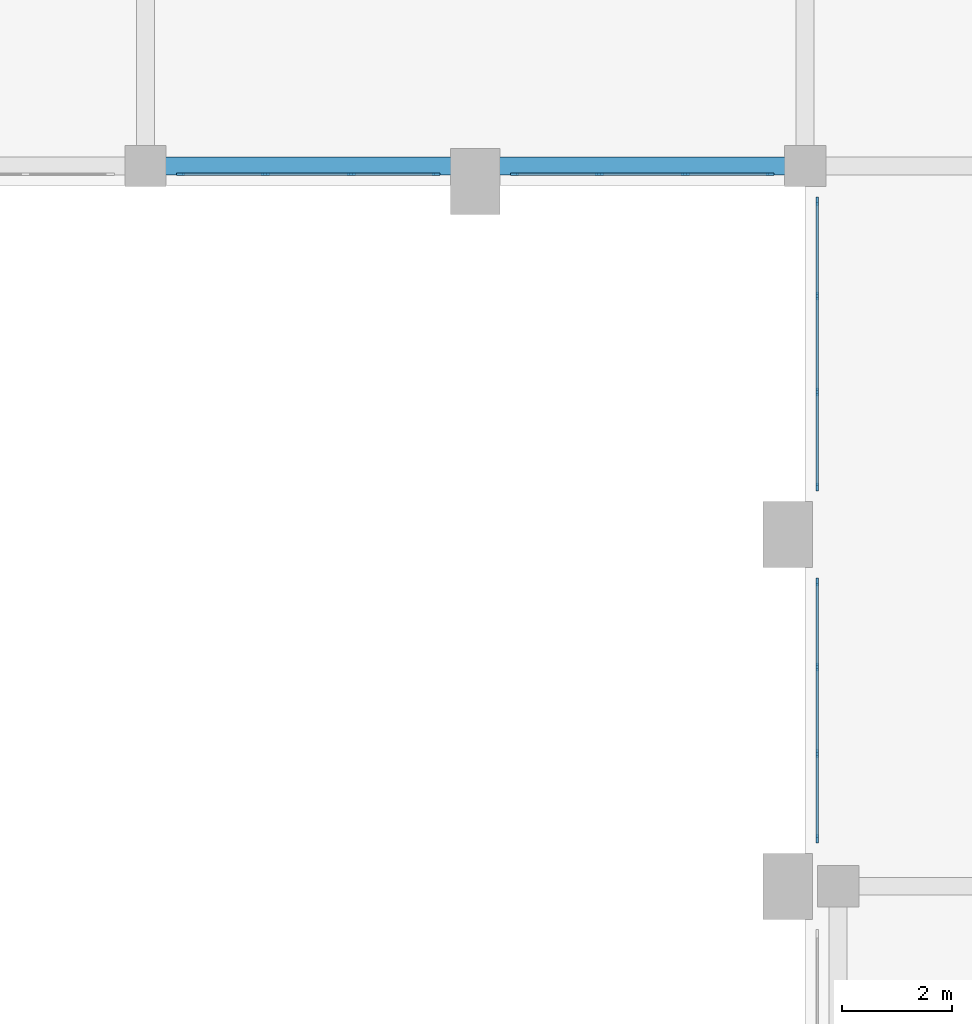
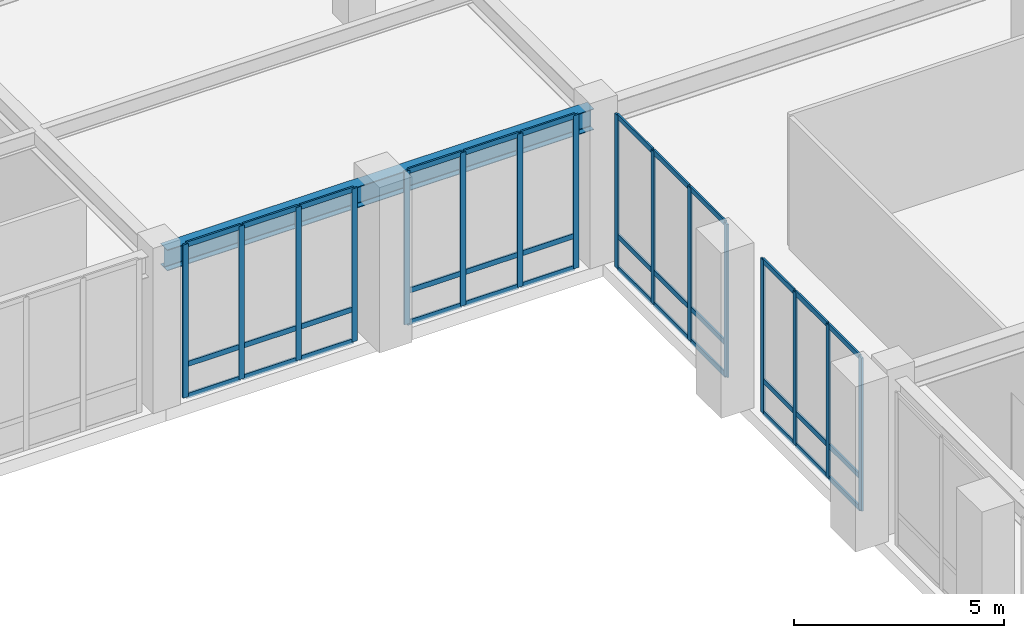
# One storey, part 63 of 126: 52 members, 1 beam, 4 elements without a shape of their own.
"""IFC4 building model written with IfcOpenShell, lengths in metres."""

from ifc_helpers import new_model, si_unit, derived_unit, direction, frame, origin, origin_2d, place, context, subcontext, project, spatial, rectangle, i_section, extrude, material, layer, layer_set, material_profile, profile_set, type_object, element, aggregate, save


model = new_model("IFC4")

# Units and contexts
model_context = context("Model", 3, precision=1e-05, world=origin(), true_north=direction((0.0, 1.0)))
body_context = subcontext(model_context, "Body", "Model", "MODEL_VIEW")
ifc_project = project(units=[si_unit("LENGTHUNIT", "METRE"), si_unit("AREAUNIT", "SQUARE_METRE"), si_unit("VOLUMEUNIT", "CUBIC_METRE"), si_unit("PLANEANGLEUNIT", "RADIAN"), si_unit("MASSUNIT", "GRAM", prefix="KILO"), derived_unit("THERMALTRANSMITTANCEUNIT", [(si_unit("MASSUNIT", "GRAM", prefix="KILO"), 1), (si_unit("TIMEUNIT", "SECOND"), -3), (si_unit("THERMODYNAMICTEMPERATUREUNIT", "KELVIN"), -1)])], contexts=[model_context])

# Site, building, storey
site_placement = place(None, origin())
site = spatial("IfcSite", under=ifc_project, at=site_placement, CompositionType="ELEMENT")
building_placement = place(site_placement, origin())
building = spatial("IfcBuilding", under=site, at=building_placement, Name="Valcora Ridge Arena", CompositionType="ELEMENT")
storey_placement = place(building_placement, frame((0.0, 0.0, 11.39990234375)))
storey = spatial("IfcBuildingStorey", under=building, at=storey_placement, Name="L02", CompositionType="ELEMENT", Elevation=11.39990234375)

# Beam
ifc_material_1 = material(Name="Steel ASTM A572 Grade 50", Category="steel")
ifc_material_profile_1 = material_profile(ifc_material_1, i_section(OverallWidth=0.324951171875, OverallDepth=0.612060546875, WebThickness=0.0126953125, FlangeThickness=0.01904296875, FilletRadius=0.01806640625, at=origin_2d()), Name="W24X104")
ifc_profile_set_1 = profile_set([ifc_material_profile_1], Name="Steel ASTM A572 Grade 50")
beam_type = type_object("IfcBeamType", Name="TY-BEAM-G-W24X104-X", PredefinedType="BEAM", material=ifc_profile_set_1)
beam_placement = place(storey_placement, frame((144.139892578125, 108.699951171875, 4.14404296875), z_axis=(1.0, 0.0, 0.0), x_axis=(0.0, 1.0, 0.0)))
element("IfcBeam", 1, at=beam_placement, inside=storey, type_object=beam_type, Name="G-W24X104-X BEM-G-W24X104-X-0076", PredefinedType="BEAM", context=body_context, shape_type="SweptSolid", body=[
    extrude(i_section(OverallWidth=0.324951171875, OverallDepth=0.612060546875, WebThickness=0.0126953125, FlangeThickness=0.01904296875, FilletRadius=0.01806640625, at=origin_2d()), origin(), (0.0, 0.0, 1.0), 11.72021484375),
])

# Curtain wall, members
ifc_material_2 = material(Name="Anodised dark bronze architectural aluminium 6063-T6", Category="aluminium")
ifc_layer_1 = layer(ifc_material_2, 0.14990234375, Name="Anodised dark bronze architectural aluminium 6063-T6")
ifc_layer_set_1 = layer_set([ifc_layer_1], Name="Anodised dark bronze architectural aluminium 6063-T6")
curtain_wall_type_1 = type_object("IfcCurtainWallType", Name="TY-CURTAINWALL-CW-V5-MED-047X44", PredefinedType="NOTDEFINED", material=ifc_layer_set_1)
curtain_wall_1_placement = place(storey_placement, origin())
curtain_wall_1 = element("IfcCurtainWall", 2, at=curtain_wall_1_placement, inside=storey, type_object=curtain_wall_type_1, Name="CW-V5-MED-047X44 CW-0330", PredefinedType="NOTDEFINED")
ifc_material_profile_2 = material_profile(ifc_material_2, rectangle(XDim=0.050048828125, YDim=0.14990234375, at=origin_2d()), Name="ALU MULLION 50x150")
ifc_profile_set_2 = profile_set([ifc_material_profile_2], Name="Anodised dark bronze architectural aluminium 6063-T6")
member_type_1 = type_object("IfcMemberType", Name="TY-MEM-CWM-50x150", PredefinedType="MULLION", material=ifc_profile_set_2)
member_1_placement = place(storey_placement, frame((144.639892578125, 108.550048828125, 0.0), z_axis=(0.0, 0.0, 1.0), x_axis=(0.0, 1.0, 0.0)))
member_1 = element("IfcMember", 3, at=member_1_placement, type_object=member_type_1, Name="CW-0330/CWM-50x150/M00", PredefinedType="MULLION", context=body_context, shape_type="SweptSolid", body=[
    extrude(rectangle(XDim=0.050048828125, YDim=0.14990234375, at=origin_2d()), origin(), (0.0, 0.0, 1.0), 4.4501953125),
])
member_2_placement = place(storey_placement, frame((146.179931640625, 108.550048828125, 0.0), z_axis=(0.0, 0.0, 1.0), x_axis=(0.0, 1.0, 0.0)))
member_2 = element("IfcMember", 4, at=member_2_placement, type_object=member_type_1, Name="CW-0330/CWM-50x150/M01", PredefinedType="MULLION", context=body_context, shape_type="SweptSolid", body=[
    extrude(rectangle(XDim=0.050048828125, YDim=0.14990234375, at=origin_2d()), origin(), (0.0, 0.0, 1.0), 4.4501953125),
])
member_3_placement = place(storey_placement, frame((147.7451171875, 108.550048828125, 0.0), z_axis=(0.0, 0.0, 1.0), x_axis=(0.0, 1.0, 0.0)))
member_3 = element("IfcMember", 5, at=member_3_placement, type_object=member_type_1, Name="CW-0330/CWM-50x150/M02", PredefinedType="MULLION", context=body_context, shape_type="SweptSolid", body=[
    extrude(rectangle(XDim=0.050048828125, YDim=0.14990234375, at=origin_2d()), origin(), (0.0, 0.0, 1.0), 4.4501953125),
])
member_4_placement = place(storey_placement, frame((149.284912109375, 108.550048828125, 0.0), z_axis=(0.0, 0.0, 1.0), x_axis=(0.0, 1.0, 0.0)))
member_4 = element("IfcMember", 6, at=member_4_placement, type_object=member_type_1, Name="CW-0330/CWM-50x150/M03", PredefinedType="MULLION", context=body_context, shape_type="SweptSolid", body=[
    extrude(rectangle(XDim=0.050048828125, YDim=0.14990234375, at=origin_2d()), origin(), (0.0, 0.0, 1.0), 4.4501953125),
])

curtain_wall_2_placement = place(storey_placement, origin())
curtain_wall_2 = element("IfcCurtainWall", 7, at=curtain_wall_2_placement, inside=storey, type_object=curtain_wall_type_1, Name="CW-V5-MED-047X44 CW-0331", PredefinedType="NOTDEFINED")
member_5_placement = place(storey_placement, frame((150.715087890625, 108.550048828125, 0.0), z_axis=(0.0, 0.0, 1.0), x_axis=(0.0, 1.0, 0.0)))
member_5 = element("IfcMember", 8, at=member_5_placement, type_object=member_type_1, Name="CW-0331/CWM-50x150/M00", PredefinedType="MULLION", context=body_context, shape_type="SweptSolid", body=[
    extrude(rectangle(XDim=0.050048828125, YDim=0.14990234375, at=origin_2d()), origin(), (0.0, 0.0, 1.0), 4.4501953125),
])
member_6_placement = place(storey_placement, frame((152.2548828125, 108.550048828125, 0.0), z_axis=(0.0, 0.0, 1.0), x_axis=(0.0, 1.0, 0.0)))
member_6 = element("IfcMember", 9, at=member_6_placement, type_object=member_type_1, Name="CW-0331/CWM-50x150/M01", PredefinedType="MULLION", context=body_context, shape_type="SweptSolid", body=[
    extrude(rectangle(XDim=0.050048828125, YDim=0.14990234375, at=origin_2d()), origin(), (0.0, 0.0, 1.0), 4.4501953125),
])
member_7_placement = place(storey_placement, frame((153.820068359375, 108.550048828125, 0.0), z_axis=(0.0, 0.0, 1.0), x_axis=(0.0, 1.0, 0.0)))
member_7 = element("IfcMember", 10, at=member_7_placement, type_object=member_type_1, Name="CW-0331/CWM-50x150/M02", PredefinedType="MULLION", context=body_context, shape_type="SweptSolid", body=[
    extrude(rectangle(XDim=0.050048828125, YDim=0.14990234375, at=origin_2d()), origin(), (0.0, 0.0, 1.0), 4.4501953125),
])
member_8_placement = place(storey_placement, frame((155.360107421875, 108.550048828125, 0.0), z_axis=(0.0, 0.0, 1.0), x_axis=(0.0, 1.0, 0.0)))
member_8 = element("IfcMember", 11, at=member_8_placement, type_object=member_type_1, Name="CW-0331/CWM-50x150/M03", PredefinedType="MULLION", context=body_context, shape_type="SweptSolid", body=[
    extrude(rectangle(XDim=0.050048828125, YDim=0.14990234375, at=origin_2d()), origin(), (0.0, 0.0, 1.0), 4.4501953125),
])

curtain_wall_3_placement = place(storey_placement, origin())
curtain_wall_3 = element("IfcCurtainWall", 12, at=curtain_wall_3_placement, inside=storey, type_object=curtain_wall_type_1, Name="CW-V5-MED-047X44 CW-0334", PredefinedType="NOTDEFINED")
member_9_placement = place(storey_placement, frame((156.219970703125, 96.465087890625, 0.0), z_axis=(0.0, 0.0, 1.0), x_axis=(-1.0, 0.0, 0.0)))
member_9 = element("IfcMember", 13, at=member_9_placement, type_object=member_type_1, Name="CW-0334/CWM-50x150/M00", PredefinedType="MULLION", context=body_context, shape_type="SweptSolid", body=[
    extrude(rectangle(XDim=0.050048828125, YDim=0.14990234375, at=origin_2d()), origin(), (0.0, 0.0, 1.0), 4.4501953125),
])
member_10_placement = place(storey_placement, frame((156.219970703125, 98.01318359375, 0.0), z_axis=(0.0, 0.0, 1.0), x_axis=(-1.0, 0.0, 0.0)))
member_10 = element("IfcMember", 14, at=member_10_placement, type_object=member_type_1, Name="CW-0334/CWM-50x150/M01", PredefinedType="MULLION", context=body_context, shape_type="SweptSolid", body=[
    extrude(rectangle(XDim=0.050048828125, YDim=0.14990234375, at=origin_2d()), origin(), (0.0, 0.0, 1.0), 4.4501953125),
])
member_11_placement = place(storey_placement, frame((156.219970703125, 99.586669921875, 0.0), z_axis=(0.0, 0.0, 1.0), x_axis=(-1.0, 0.0, 0.0)))
member_11 = element("IfcMember", 15, at=member_11_placement, type_object=member_type_1, Name="CW-0334/CWM-50x150/M02", PredefinedType="MULLION", context=body_context, shape_type="SweptSolid", body=[
    extrude(rectangle(XDim=0.050048828125, YDim=0.14990234375, at=origin_2d()), origin(), (0.0, 0.0, 1.0), 4.4501953125),
])
member_12_placement = place(storey_placement, frame((156.219970703125, 101.135009765625, 0.0), z_axis=(0.0, 0.0, 1.0), x_axis=(-1.0, 0.0, 0.0)))
member_12 = element("IfcMember", 16, at=member_12_placement, type_object=member_type_1, Name="CW-0334/CWM-50x150/M03", PredefinedType="MULLION", context=body_context, shape_type="SweptSolid", body=[
    extrude(rectangle(XDim=0.050048828125, YDim=0.14990234375, at=origin_2d()), origin(), (0.0, 0.0, 1.0), 4.4501953125),
])

ifc_layer_2 = layer(ifc_material_2, 0.14990234375, Name="Anodised dark bronze architectural aluminium 6063-T6")
ifc_layer_set_2 = layer_set([ifc_layer_2], Name="Anodised dark bronze architectural aluminium 6063-T6")
curtain_wall_type_2 = type_object("IfcCurtainWallType", Name="TY-CURTAINWALL-CW-V5-MED-052X44", PredefinedType="NOTDEFINED", material=ifc_layer_set_2)
curtain_wall_4_placement = place(storey_placement, origin())
curtain_wall_4 = element("IfcCurtainWall", 17, at=curtain_wall_4_placement, inside=storey, type_object=curtain_wall_type_2, Name="CW-V5-MED-052X44 CW-0335", PredefinedType="NOTDEFINED")
member_13_placement = place(storey_placement, frame((156.219970703125, 102.864990234375, 0.0), z_axis=(0.0, 0.0, 1.0), x_axis=(-1.0, 0.0, 0.0)))
member_13 = element("IfcMember", 18, at=member_13_placement, type_object=member_type_1, Name="CW-0335/CWM-50x150/M00", PredefinedType="MULLION", context=body_context, shape_type="SweptSolid", body=[
    extrude(rectangle(XDim=0.050048828125, YDim=0.14990234375, at=origin_2d()), origin(), (0.0, 0.0, 1.0), 4.4501953125),
])
member_14_placement = place(storey_placement, frame((156.219970703125, 104.58837890625, 0.0), z_axis=(0.0, 0.0, 1.0), x_axis=(-1.0, 0.0, 0.0)))
member_14 = element("IfcMember", 19, at=member_14_placement, type_object=member_type_1, Name="CW-0335/CWM-50x150/M01", PredefinedType="MULLION", context=body_context, shape_type="SweptSolid", body=[
    extrude(rectangle(XDim=0.050048828125, YDim=0.14990234375, at=origin_2d()), origin(), (0.0, 0.0, 1.0), 4.4501953125),
])
member_15_placement = place(storey_placement, frame((156.219970703125, 106.336669921875, 0.0), z_axis=(0.0, 0.0, 1.0), x_axis=(-1.0, 0.0, 0.0)))
member_15 = element("IfcMember", 20, at=member_15_placement, type_object=member_type_1, Name="CW-0335/CWM-50x150/M02", PredefinedType="MULLION", context=body_context, shape_type="SweptSolid", body=[
    extrude(rectangle(XDim=0.050048828125, YDim=0.14990234375, at=origin_2d()), origin(), (0.0, 0.0, 1.0), 4.4501953125),
])
member_16_placement = place(storey_placement, frame((156.219970703125, 108.06005859375, 0.0), z_axis=(0.0, 0.0, 1.0), x_axis=(-1.0, 0.0, 0.0)))
member_16 = element("IfcMember", 21, at=member_16_placement, type_object=member_type_1, Name="CW-0335/CWM-50x150/M03", PredefinedType="MULLION", context=body_context, shape_type="SweptSolid", body=[
    extrude(rectangle(XDim=0.050048828125, YDim=0.14990234375, at=origin_2d()), origin(), (0.0, 0.0, 1.0), 4.4501953125),
])

# Member
ifc_material_profile_3 = material_profile(ifc_material_2, rectangle(XDim=0.050048828125, YDim=0.14990234375, at=origin_2d()), Name="ALU TRANSOM 50x150")
ifc_profile_set_3 = profile_set([ifc_material_profile_3], Name="Anodised dark bronze architectural aluminium 6063-T6")
member_type_2 = type_object("IfcMemberType", Name="TY-MEM-CWT-50x150", PredefinedType="USERDEFINED", material=ifc_profile_set_3)
member_17_placement = place(storey_placement, frame((144.6650390625, 108.550048828125, 0.025146484375), z_axis=(1.0, 0.0, 0.0), x_axis=(0.0, 1.0, 0.0)))
member_17 = element("IfcMember", 22, at=member_17_placement, type_object=member_type_2, Name="CW-0330/CWT-50x150/T00-00", ObjectType="TRANSOM", PredefinedType="USERDEFINED", context=body_context, shape_type="SweptSolid", body=[
    extrude(rectangle(XDim=0.050048828125, YDim=0.14990234375, at=origin_2d()), origin(), (0.0, 0.0, 1.0), 1.489990234375),
])

member_18_placement = place(storey_placement, frame((144.6650390625, 108.550048828125, 0.9501953125), z_axis=(1.0, 0.0, 0.0), x_axis=(0.0, 1.0, 0.0)))
member_18 = element("IfcMember", 23, at=member_18_placement, type_object=member_type_2, Name="CW-0330/CWT-50x150/T00-01", ObjectType="TRANSOM", PredefinedType="USERDEFINED", context=body_context, shape_type="SweptSolid", body=[
    extrude(rectangle(XDim=0.050048828125, YDim=0.14990234375, at=origin_2d()), origin(), (0.0, 0.0, 1.0), 1.489990234375),
])

member_19_placement = place(storey_placement, frame((144.6650390625, 108.550048828125, 4.425048828125), z_axis=(1.0, 0.0, 0.0), x_axis=(0.0, 1.0, 0.0)))
member_19 = element("IfcMember", 24, at=member_19_placement, type_object=member_type_2, Name="CW-0330/CWT-50x150/T00-02", ObjectType="TRANSOM", PredefinedType="USERDEFINED", context=body_context, shape_type="SweptSolid", body=[
    extrude(rectangle(XDim=0.050048828125, YDim=0.14990234375, at=origin_2d()), origin(), (0.0, 0.0, 1.0), 1.489990234375),
])

member_20_placement = place(storey_placement, frame((146.205078125, 108.550048828125, 0.025146484375), z_axis=(1.0, 0.0, 0.0), x_axis=(0.0, 1.0, 0.0)))
member_20 = element("IfcMember", 25, at=member_20_placement, type_object=member_type_2, Name="CW-0330/CWT-50x150/T01-00", ObjectType="TRANSOM", PredefinedType="USERDEFINED", context=body_context, shape_type="SweptSolid", body=[
    extrude(rectangle(XDim=0.050048828125, YDim=0.14990234375, at=origin_2d()), origin(), (0.0, 0.0, 1.0), 1.514892578125),
])

member_21_placement = place(storey_placement, frame((146.205078125, 108.550048828125, 0.9501953125), z_axis=(1.0, 0.0, 0.0), x_axis=(0.0, 1.0, 0.0)))
member_21 = element("IfcMember", 26, at=member_21_placement, type_object=member_type_2, Name="CW-0330/CWT-50x150/T01-01", ObjectType="TRANSOM", PredefinedType="USERDEFINED", context=body_context, shape_type="SweptSolid", body=[
    extrude(rectangle(XDim=0.050048828125, YDim=0.14990234375, at=origin_2d()), origin(), (0.0, 0.0, 1.0), 1.514892578125),
])

member_22_placement = place(storey_placement, frame((146.205078125, 108.550048828125, 4.425048828125), z_axis=(1.0, 0.0, 0.0), x_axis=(0.0, 1.0, 0.0)))
member_22 = element("IfcMember", 27, at=member_22_placement, type_object=member_type_2, Name="CW-0330/CWT-50x150/T01-02", ObjectType="TRANSOM", PredefinedType="USERDEFINED", context=body_context, shape_type="SweptSolid", body=[
    extrude(rectangle(XDim=0.050048828125, YDim=0.14990234375, at=origin_2d()), origin(), (0.0, 0.0, 1.0), 1.514892578125),
])

member_23_placement = place(storey_placement, frame((147.77001953125, 108.550048828125, 0.025146484375), z_axis=(1.0, 0.0, 0.0), x_axis=(0.0, 1.0, 0.0)))
member_23 = element("IfcMember", 28, at=member_23_placement, type_object=member_type_2, Name="CW-0330/CWT-50x150/T02-00", ObjectType="TRANSOM", PredefinedType="USERDEFINED", context=body_context, shape_type="SweptSolid", body=[
    extrude(rectangle(XDim=0.050048828125, YDim=0.14990234375, at=origin_2d()), origin(), (0.0, 0.0, 1.0), 1.489990234375),
])

member_24_placement = place(storey_placement, frame((147.77001953125, 108.550048828125, 0.9501953125), z_axis=(1.0, 0.0, 0.0), x_axis=(0.0, 1.0, 0.0)))
member_24 = element("IfcMember", 29, at=member_24_placement, type_object=member_type_2, Name="CW-0330/CWT-50x150/T02-01", ObjectType="TRANSOM", PredefinedType="USERDEFINED", context=body_context, shape_type="SweptSolid", body=[
    extrude(rectangle(XDim=0.050048828125, YDim=0.14990234375, at=origin_2d()), origin(), (0.0, 0.0, 1.0), 1.489990234375),
])

member_25_placement = place(storey_placement, frame((147.77001953125, 108.550048828125, 4.425048828125), z_axis=(1.0, 0.0, 0.0), x_axis=(0.0, 1.0, 0.0)))
member_25 = element("IfcMember", 30, at=member_25_placement, type_object=member_type_2, Name="CW-0330/CWT-50x150/T02-02", ObjectType="TRANSOM", PredefinedType="USERDEFINED", context=body_context, shape_type="SweptSolid", body=[
    extrude(rectangle(XDim=0.050048828125, YDim=0.14990234375, at=origin_2d()), origin(), (0.0, 0.0, 1.0), 1.489990234375),
])

aggregate(curtain_wall_1, [member_1, member_2, member_3, member_4, member_17, member_18, member_19, member_20, member_21, member_22, member_23, member_24, member_25])

member_26_placement = place(storey_placement, frame((150.739990234375, 108.550048828125, 0.025146484375), z_axis=(1.0, 0.0, 0.0), x_axis=(0.0, 1.0, 0.0)))
member_26 = element("IfcMember", 31, at=member_26_placement, type_object=member_type_2, Name="CW-0331/CWT-50x150/T00-00", ObjectType="TRANSOM", PredefinedType="USERDEFINED", context=body_context, shape_type="SweptSolid", body=[
    extrude(rectangle(XDim=0.050048828125, YDim=0.14990234375, at=origin_2d()), origin(), (0.0, 0.0, 1.0), 1.489990234375),
])

member_27_placement = place(storey_placement, frame((150.739990234375, 108.550048828125, 0.9501953125), z_axis=(1.0, 0.0, 0.0), x_axis=(0.0, 1.0, 0.0)))
member_27 = element("IfcMember", 32, at=member_27_placement, type_object=member_type_2, Name="CW-0331/CWT-50x150/T00-01", ObjectType="TRANSOM", PredefinedType="USERDEFINED", context=body_context, shape_type="SweptSolid", body=[
    extrude(rectangle(XDim=0.050048828125, YDim=0.14990234375, at=origin_2d()), origin(), (0.0, 0.0, 1.0), 1.489990234375),
])

member_28_placement = place(storey_placement, frame((150.739990234375, 108.550048828125, 4.425048828125), z_axis=(1.0, 0.0, 0.0), x_axis=(0.0, 1.0, 0.0)))
member_28 = element("IfcMember", 33, at=member_28_placement, type_object=member_type_2, Name="CW-0331/CWT-50x150/T00-02", ObjectType="TRANSOM", PredefinedType="USERDEFINED", context=body_context, shape_type="SweptSolid", body=[
    extrude(rectangle(XDim=0.050048828125, YDim=0.14990234375, at=origin_2d()), origin(), (0.0, 0.0, 1.0), 1.489990234375),
])

member_29_placement = place(storey_placement, frame((152.280029296875, 108.550048828125, 0.025146484375), z_axis=(1.0, 0.0, 0.0), x_axis=(0.0, 1.0, 0.0)))
member_29 = element("IfcMember", 34, at=member_29_placement, type_object=member_type_2, Name="CW-0331/CWT-50x150/T01-00", ObjectType="TRANSOM", PredefinedType="USERDEFINED", context=body_context, shape_type="SweptSolid", body=[
    extrude(rectangle(XDim=0.050048828125, YDim=0.14990234375, at=origin_2d()), origin(), (0.0, 0.0, 1.0), 1.514892578125),
])

member_30_placement = place(storey_placement, frame((152.280029296875, 108.550048828125, 0.9501953125), z_axis=(1.0, 0.0, 0.0), x_axis=(0.0, 1.0, 0.0)))
member_30 = element("IfcMember", 35, at=member_30_placement, type_object=member_type_2, Name="CW-0331/CWT-50x150/T01-01", ObjectType="TRANSOM", PredefinedType="USERDEFINED", context=body_context, shape_type="SweptSolid", body=[
    extrude(rectangle(XDim=0.050048828125, YDim=0.14990234375, at=origin_2d()), origin(), (0.0, 0.0, 1.0), 1.514892578125),
])

member_31_placement = place(storey_placement, frame((152.280029296875, 108.550048828125, 4.425048828125), z_axis=(1.0, 0.0, 0.0), x_axis=(0.0, 1.0, 0.0)))
member_31 = element("IfcMember", 36, at=member_31_placement, type_object=member_type_2, Name="CW-0331/CWT-50x150/T01-02", ObjectType="TRANSOM", PredefinedType="USERDEFINED", context=body_context, shape_type="SweptSolid", body=[
    extrude(rectangle(XDim=0.050048828125, YDim=0.14990234375, at=origin_2d()), origin(), (0.0, 0.0, 1.0), 1.514892578125),
])

member_32_placement = place(storey_placement, frame((153.844970703125, 108.550048828125, 0.025146484375), z_axis=(1.0, 0.0, 0.0), x_axis=(0.0, 1.0, 0.0)))
member_32 = element("IfcMember", 37, at=member_32_placement, type_object=member_type_2, Name="CW-0331/CWT-50x150/T02-00", ObjectType="TRANSOM", PredefinedType="USERDEFINED", context=body_context, shape_type="SweptSolid", body=[
    extrude(rectangle(XDim=0.050048828125, YDim=0.14990234375, at=origin_2d()), origin(), (0.0, 0.0, 1.0), 1.489990234375),
])

member_33_placement = place(storey_placement, frame((153.844970703125, 108.550048828125, 0.9501953125), z_axis=(1.0, 0.0, 0.0), x_axis=(0.0, 1.0, 0.0)))
member_33 = element("IfcMember", 38, at=member_33_placement, type_object=member_type_2, Name="CW-0331/CWT-50x150/T02-01", ObjectType="TRANSOM", PredefinedType="USERDEFINED", context=body_context, shape_type="SweptSolid", body=[
    extrude(rectangle(XDim=0.050048828125, YDim=0.14990234375, at=origin_2d()), origin(), (0.0, 0.0, 1.0), 1.489990234375),
])

member_34_placement = place(storey_placement, frame((153.844970703125, 108.550048828125, 4.425048828125), z_axis=(1.0, 0.0, 0.0), x_axis=(0.0, 1.0, 0.0)))
member_34 = element("IfcMember", 39, at=member_34_placement, type_object=member_type_2, Name="CW-0331/CWT-50x150/T02-02", ObjectType="TRANSOM", PredefinedType="USERDEFINED", context=body_context, shape_type="SweptSolid", body=[
    extrude(rectangle(XDim=0.050048828125, YDim=0.14990234375, at=origin_2d()), origin(), (0.0, 0.0, 1.0), 1.489990234375),
])

aggregate(curtain_wall_2, [member_5, member_6, member_7, member_8, member_26, member_27, member_28, member_29, member_30, member_31, member_32, member_33, member_34])

member_35_placement = place(storey_placement, frame((156.219970703125, 96.489990234375, 0.025146484375), z_axis=(0.0, 1.0, 0.0), x_axis=(-1.0, 0.0, 0.0)))
member_35 = element("IfcMember", 40, at=member_35_placement, type_object=member_type_2, Name="CW-0334/CWT-50x150/T00-00", ObjectType="TRANSOM", PredefinedType="USERDEFINED", context=body_context, shape_type="SweptSolid", body=[
    extrude(rectangle(XDim=0.050048828125, YDim=0.14990234375, at=origin_2d()), origin(), (0.0, 0.0, 1.0), 1.498046875),
])

member_36_placement = place(storey_placement, frame((156.219970703125, 96.489990234375, 0.9501953125), z_axis=(0.0, 1.0, 0.0), x_axis=(-1.0, 0.0, 0.0)))
member_36 = element("IfcMember", 41, at=member_36_placement, type_object=member_type_2, Name="CW-0334/CWT-50x150/T00-01", ObjectType="TRANSOM", PredefinedType="USERDEFINED", context=body_context, shape_type="SweptSolid", body=[
    extrude(rectangle(XDim=0.050048828125, YDim=0.14990234375, at=origin_2d()), origin(), (0.0, 0.0, 1.0), 1.498046875),
])

member_37_placement = place(storey_placement, frame((156.219970703125, 96.489990234375, 4.425048828125), z_axis=(0.0, 1.0, 0.0), x_axis=(-1.0, 0.0, 0.0)))
member_37 = element("IfcMember", 42, at=member_37_placement, type_object=member_type_2, Name="CW-0334/CWT-50x150/T00-02", ObjectType="TRANSOM", PredefinedType="USERDEFINED", context=body_context, shape_type="SweptSolid", body=[
    extrude(rectangle(XDim=0.050048828125, YDim=0.14990234375, at=origin_2d()), origin(), (0.0, 0.0, 1.0), 1.498046875),
])

member_38_placement = place(storey_placement, frame((156.219970703125, 98.0380859375, 0.025146484375), z_axis=(0.0, 1.0, 0.0), x_axis=(-1.0, 0.0, 0.0)))
member_38 = element("IfcMember", 43, at=member_38_placement, type_object=member_type_2, Name="CW-0334/CWT-50x150/T01-00", ObjectType="TRANSOM", PredefinedType="USERDEFINED", context=body_context, shape_type="SweptSolid", body=[
    extrude(rectangle(XDim=0.050048828125, YDim=0.14990234375, at=origin_2d()), origin(), (0.0, 0.0, 1.0), 1.52392578125),
])

member_39_placement = place(storey_placement, frame((156.219970703125, 98.0380859375, 0.9501953125), z_axis=(0.0, 1.0, 0.0), x_axis=(-1.0, 0.0, 0.0)))
member_39 = element("IfcMember", 44, at=member_39_placement, type_object=member_type_2, Name="CW-0334/CWT-50x150/T01-01", ObjectType="TRANSOM", PredefinedType="USERDEFINED", context=body_context, shape_type="SweptSolid", body=[
    extrude(rectangle(XDim=0.050048828125, YDim=0.14990234375, at=origin_2d()), origin(), (0.0, 0.0, 1.0), 1.52392578125),
])

member_40_placement = place(storey_placement, frame((156.219970703125, 98.0380859375, 4.425048828125), z_axis=(0.0, 1.0, 0.0), x_axis=(-1.0, 0.0, 0.0)))
member_40 = element("IfcMember", 45, at=member_40_placement, type_object=member_type_2, Name="CW-0334/CWT-50x150/T01-02", ObjectType="TRANSOM", PredefinedType="USERDEFINED", context=body_context, shape_type="SweptSolid", body=[
    extrude(rectangle(XDim=0.050048828125, YDim=0.14990234375, at=origin_2d()), origin(), (0.0, 0.0, 1.0), 1.52392578125),
])

member_41_placement = place(storey_placement, frame((156.219970703125, 99.612060546875, 0.025146484375), z_axis=(0.0, 1.0, 0.0), x_axis=(-1.0, 0.0, 0.0)))
member_41 = element("IfcMember", 46, at=member_41_placement, type_object=member_type_2, Name="CW-0334/CWT-50x150/T02-00", ObjectType="TRANSOM", PredefinedType="USERDEFINED", context=body_context, shape_type="SweptSolid", body=[
    extrude(rectangle(XDim=0.050048828125, YDim=0.14990234375, at=origin_2d()), origin(), (0.0, 0.0, 1.0), 1.498046875),
])

member_42_placement = place(storey_placement, frame((156.219970703125, 99.612060546875, 0.9501953125), z_axis=(0.0, 1.0, 0.0), x_axis=(-1.0, 0.0, 0.0)))
member_42 = element("IfcMember", 47, at=member_42_placement, type_object=member_type_2, Name="CW-0334/CWT-50x150/T02-01", ObjectType="TRANSOM", PredefinedType="USERDEFINED", context=body_context, shape_type="SweptSolid", body=[
    extrude(rectangle(XDim=0.050048828125, YDim=0.14990234375, at=origin_2d()), origin(), (0.0, 0.0, 1.0), 1.498046875),
])

member_43_placement = place(storey_placement, frame((156.219970703125, 99.612060546875, 4.425048828125), z_axis=(0.0, 1.0, 0.0), x_axis=(-1.0, 0.0, 0.0)))
member_43 = element("IfcMember", 48, at=member_43_placement, type_object=member_type_2, Name="CW-0334/CWT-50x150/T02-02", ObjectType="TRANSOM", PredefinedType="USERDEFINED", context=body_context, shape_type="SweptSolid", body=[
    extrude(rectangle(XDim=0.050048828125, YDim=0.14990234375, at=origin_2d()), origin(), (0.0, 0.0, 1.0), 1.498046875),
])

aggregate(curtain_wall_3, [member_9, member_10, member_11, member_12, member_35, member_36, member_37, member_38, member_39, member_40, member_41, member_42, member_43])

member_44_placement = place(storey_placement, frame((156.219970703125, 102.889892578125, 0.025146484375), z_axis=(0.0, 1.0, 0.0), x_axis=(-1.0, 0.0, 0.0)))
member_44 = element("IfcMember", 49, at=member_44_placement, type_object=member_type_2, Name="CW-0335/CWT-50x150/T00-00", ObjectType="TRANSOM", PredefinedType="USERDEFINED", context=body_context, shape_type="SweptSolid", body=[
    extrude(rectangle(XDim=0.050048828125, YDim=0.14990234375, at=origin_2d()), origin(), (0.0, 0.0, 1.0), 1.673095703125),
])

member_45_placement = place(storey_placement, frame((156.219970703125, 102.889892578125, 0.9501953125), z_axis=(0.0, 1.0, 0.0), x_axis=(-1.0, 0.0, 0.0)))
member_45 = element("IfcMember", 50, at=member_45_placement, type_object=member_type_2, Name="CW-0335/CWT-50x150/T00-01", ObjectType="TRANSOM", PredefinedType="USERDEFINED", context=body_context, shape_type="SweptSolid", body=[
    extrude(rectangle(XDim=0.050048828125, YDim=0.14990234375, at=origin_2d()), origin(), (0.0, 0.0, 1.0), 1.673095703125),
])

member_46_placement = place(storey_placement, frame((156.219970703125, 102.889892578125, 4.425048828125), z_axis=(0.0, 1.0, 0.0), x_axis=(-1.0, 0.0, 0.0)))
member_46 = element("IfcMember", 51, at=member_46_placement, type_object=member_type_2, Name="CW-0335/CWT-50x150/T00-02", ObjectType="TRANSOM", PredefinedType="USERDEFINED", context=body_context, shape_type="SweptSolid", body=[
    extrude(rectangle(XDim=0.050048828125, YDim=0.14990234375, at=origin_2d()), origin(), (0.0, 0.0, 1.0), 1.673095703125),
])

member_47_placement = place(storey_placement, frame((156.219970703125, 104.613037109375, 0.025146484375), z_axis=(0.0, 1.0, 0.0), x_axis=(-1.0, 0.0, 0.0)))
member_47 = element("IfcMember", 52, at=member_47_placement, type_object=member_type_2, Name="CW-0335/CWT-50x150/T01-00", ObjectType="TRANSOM", PredefinedType="USERDEFINED", context=body_context, shape_type="SweptSolid", body=[
    extrude(rectangle(XDim=0.050048828125, YDim=0.14990234375, at=origin_2d()), origin(), (0.0, 0.0, 1.0), 1.698974609375),
])

member_48_placement = place(storey_placement, frame((156.219970703125, 104.613037109375, 0.9501953125), z_axis=(0.0, 1.0, 0.0), x_axis=(-1.0, 0.0, 0.0)))
member_48 = element("IfcMember", 53, at=member_48_placement, type_object=member_type_2, Name="CW-0335/CWT-50x150/T01-01", ObjectType="TRANSOM", PredefinedType="USERDEFINED", context=body_context, shape_type="SweptSolid", body=[
    extrude(rectangle(XDim=0.050048828125, YDim=0.14990234375, at=origin_2d()), origin(), (0.0, 0.0, 1.0), 1.698974609375),
])

member_49_placement = place(storey_placement, frame((156.219970703125, 104.613037109375, 4.425048828125), z_axis=(0.0, 1.0, 0.0), x_axis=(-1.0, 0.0, 0.0)))
member_49 = element("IfcMember", 54, at=member_49_placement, type_object=member_type_2, Name="CW-0335/CWT-50x150/T01-02", ObjectType="TRANSOM", PredefinedType="USERDEFINED", context=body_context, shape_type="SweptSolid", body=[
    extrude(rectangle(XDim=0.050048828125, YDim=0.14990234375, at=origin_2d()), origin(), (0.0, 0.0, 1.0), 1.698974609375),
])

member_50_placement = place(storey_placement, frame((156.219970703125, 106.362060546875, 0.025146484375), z_axis=(0.0, 1.0, 0.0), x_axis=(-1.0, 0.0, 0.0)))
member_50 = element("IfcMember", 55, at=member_50_placement, type_object=member_type_2, Name="CW-0335/CWT-50x150/T02-00", ObjectType="TRANSOM", PredefinedType="USERDEFINED", context=body_context, shape_type="SweptSolid", body=[
    extrude(rectangle(XDim=0.050048828125, YDim=0.14990234375, at=origin_2d()), origin(), (0.0, 0.0, 1.0), 1.6728515625),
])

member_51_placement = place(storey_placement, frame((156.219970703125, 106.362060546875, 0.9501953125), z_axis=(0.0, 1.0, 0.0), x_axis=(-1.0, 0.0, 0.0)))
member_51 = element("IfcMember", 56, at=member_51_placement, type_object=member_type_2, Name="CW-0335/CWT-50x150/T02-01", ObjectType="TRANSOM", PredefinedType="USERDEFINED", context=body_context, shape_type="SweptSolid", body=[
    extrude(rectangle(XDim=0.050048828125, YDim=0.14990234375, at=origin_2d()), origin(), (0.0, 0.0, 1.0), 1.6728515625),
])

member_52_placement = place(storey_placement, frame((156.219970703125, 106.362060546875, 4.425048828125), z_axis=(0.0, 1.0, 0.0), x_axis=(-1.0, 0.0, 0.0)))
member_52 = element("IfcMember", 57, at=member_52_placement, type_object=member_type_2, Name="CW-0335/CWT-50x150/T02-02", ObjectType="TRANSOM", PredefinedType="USERDEFINED", context=body_context, shape_type="SweptSolid", body=[
    extrude(rectangle(XDim=0.050048828125, YDim=0.14990234375, at=origin_2d()), origin(), (0.0, 0.0, 1.0), 1.6728515625),
])

aggregate(curtain_wall_4, [member_13, member_14, member_15, member_16, member_44, member_45, member_46, member_47, member_48, member_49, member_50, member_51, member_52])

save(model, "model.ifc")
